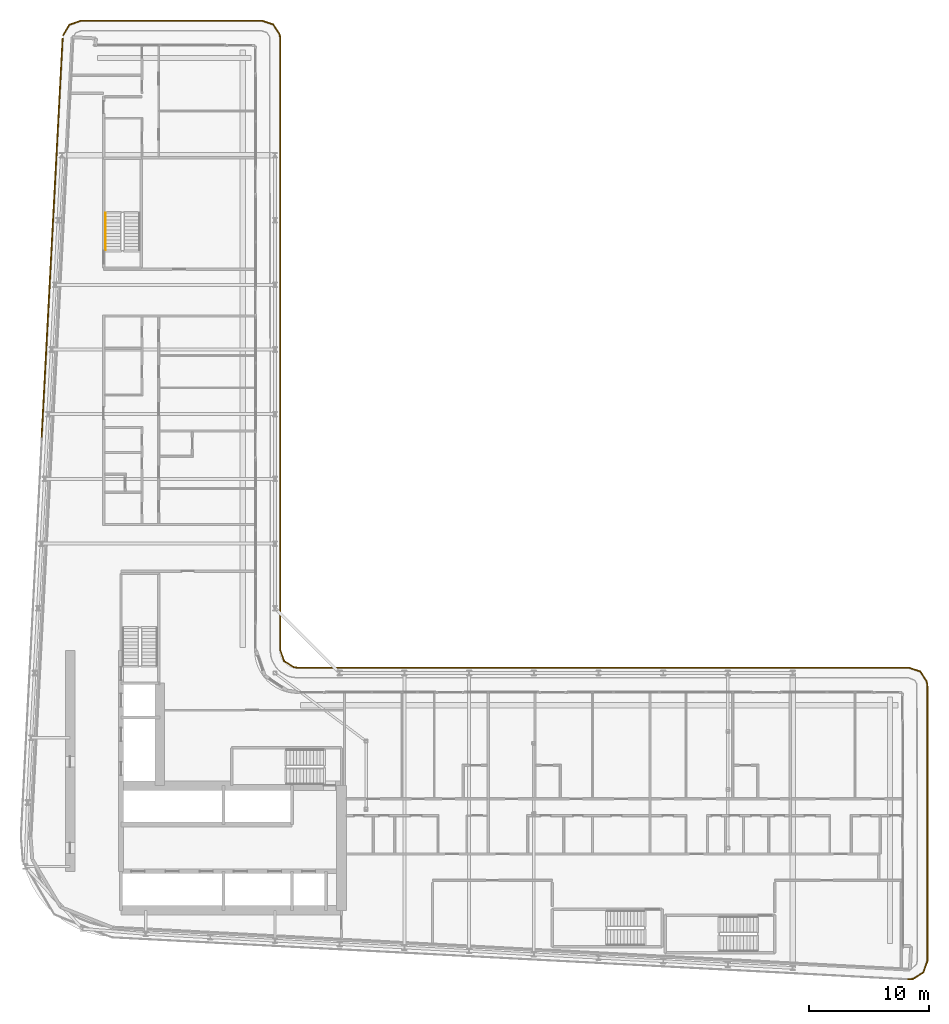
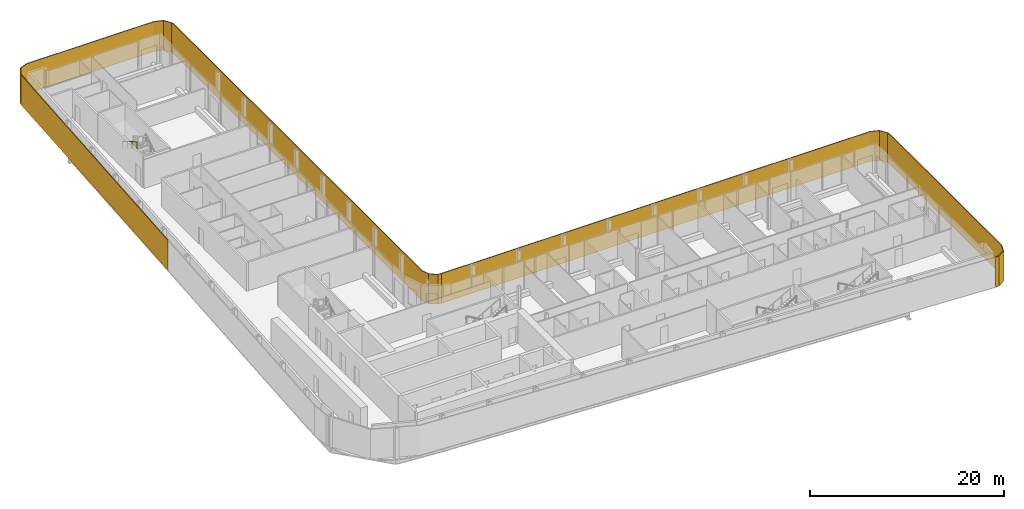
# One storey, part 26 of 28: 3 shading devices, 1 railing.
"""IFC4 building model written with IfcOpenShell, lengths in metres."""

from ifc_helpers import new_model, si_unit, direction, frame, origin, origin_2d, place, context, subcontext, project, spatial, polyline, rectangle, circle, outline, extrude, material, layer, layer_set, type_object, element, save


model = new_model("IFC4")

# Units and contexts
model_context = context("Model", 3, precision=1e-05, world=origin(), true_north=direction((0.0, 1.0)))
body_context = subcontext(model_context, "Body", "Model", "MODEL_VIEW")
ifc_project = project(units=[si_unit("LENGTHUNIT", "METRE"), si_unit("AREAUNIT", "SQUARE_METRE"), si_unit("VOLUMEUNIT", "CUBIC_METRE"), si_unit("PLANEANGLEUNIT", "RADIAN"), si_unit("MASSUNIT", "GRAM", prefix="KILO")], contexts=[model_context])

# Site, building, storey
site_placement = place(None, origin())
site = spatial("IfcSite", under=ifc_project, at=site_placement, CompositionType="ELEMENT")
building_placement = place(site_placement, origin())
building = spatial("IfcBuilding", under=site, at=building_placement, Name="Kheshtan School and Residences Tower", CompositionType="ELEMENT")
storey_placement = place(building_placement, frame((0.0, 0.0, 187.699951171875)))
storey = spatial("IfcBuildingStorey", under=building, at=storey_placement, Name="L44", CompositionType="ELEMENT", Elevation=187.699951171875)

# Shading devices
ifc_material_1 = material(Name="Terracotta baguette, extruded ceramic", Category="masonry")
ifc_layer_1 = layer(ifc_material_1, 0.10009765625)
ifc_layer_set_1 = layer_set([ifc_layer_1], Name="Ledge screen, terracotta baguettes")
shading_device_type_1 = type_object("IfcShadingDeviceType", Name="Ledge screen, terracotta baguettes", PredefinedType="USERDEFINED", material=ifc_layer_set_1)
shading_device_1_placement = place(storey_placement, frame((28.9990234375, 81.93408203125, 0.0), z_axis=(0.0, 0.0, 1.0), x_axis=(0.052562536748, 0.998617634398, 0.0)))
element("IfcShadingDevice", 1, at=shading_device_1_placement, inside=storey, type_object=shading_device_type_1, Name="Screen L44 5", ObjectType="BAGUETTE", PredefinedType="USERDEFINED", context=body_context, shape_type="SweptSolid", body=[
    extrude(rectangle(XDim=33.341064453125, YDim=0.10009765625, at=origin_2d()), origin(), (0.0, 0.0, 1.0), 3.75),
])
ifc_material_2 = material(Name="Terracotta lattice, extruded ceramic", Category="masonry")
ifc_layer_2 = layer(ifc_material_2, 0.10009765625)
ifc_layer_set_2 = layer_set([ifc_layer_2], Name="Loggia screen, terracotta lattice")
shading_device_type_2 = type_object("IfcShadingDeviceType", Name="Loggia screen, terracotta lattice", PredefinedType="USERDEFINED", material=ifc_layer_set_2)
shading_device_2_placement = place(storey_placement, origin())
element("IfcShadingDevice", 2, at=shading_device_2_placement, inside=storey, type_object=shading_device_type_2, Name="Screen L44 1", ObjectType="SCREEN", PredefinedType="USERDEFINED", context=body_context, shape_type="SweptSolid", body=[
    extrude(outline(polyline([(29.949951171875, 98.783935546875), (30.468017578125, 99.656982421875), (31.423095703125, 100.0), (46.5, 100.0), (47.4130859375, 99.68994140625), (47.948974609375, 98.887939453125), (48.0, 98.5), (48.0, 47.5), (48.31005859375, 46.5869140625), (49.112060546875, 46.051025390625), (49.5, 46.0), (49.512939453125, 46.09912109375), (49.14794921875, 46.14697265625), (48.39404296875, 46.65087890625), (48.10009765625, 47.51708984375), (48.10009765625, 98.507080078125), (48.044921875, 98.924072265625), (47.47705078125, 99.77392578125), (46.51708984375, 100.10009765625), (31.406005859375, 100.10009765625), (30.39990234375, 99.739013671875), (29.864013671875, 98.8349609375), (29.949951171875, 98.783935546875)])), origin(), (0.0, 0.0, 1.0), 3.75),
])
shading_device_3_placement = place(storey_placement, origin())
element("IfcShadingDevice", 3, at=shading_device_3_placement, inside=storey, type_object=shading_device_type_2, Name="Screen L44 2", ObjectType="SCREEN", PredefinedType="USERDEFINED", context=body_context, shape_type="SweptSolid", body=[
    extrude(outline(polyline([(49.5, 46.0), (100.5, 46.0), (101.4130859375, 45.68994140625), (101.948974609375, 44.887939453125), (102.0, 44.5), (102.0, 21.5810546875), (101.669921875, 20.64208984375), (100.823974609375, 20.116943359375), (100.4208984375, 20.0830078125), (100.428955078125, 19.98291015625), (100.85595703125, 20.01904296875), (101.7529296875, 20.575927734375), (102.10009765625, 21.56396484375), (102.10009765625, 44.507080078125), (102.044921875, 44.924072265625), (101.47705078125, 45.77392578125), (100.51708984375, 46.10009765625), (49.5, 46.10009765625), (49.5, 46.0)])), origin(), (0.0, 0.0, 1.0), 3.75),
])

# Railing
ifc_material_3 = material(Name="Stainless steel handrail", Category="steel")
railing_type = type_object("IfcRailingType", Name="Stair handrail 900", PredefinedType="HANDRAIL", material=ifc_material_3)
railing_placement = place(storey_placement, frame((33.449951171875, 83.97998046875, 2.112548828125)))
element("IfcRailing", 4, at=railing_placement, inside=storey, type_object=railing_type, Name="L44 ST3 stair handrail 2", PredefinedType="HANDRAIL", context=body_context, shape_type="SweptSolid", body=[
    extrude(circle(Radius=0.02392578125, at=origin_2d()), frame((0.0, 0.0, 0.8759765625), z_axis=(0.0, -0.864890721111, 0.501960198159), x_axis=(1.0, 0.0, 0.0)), (0.0, 0.0, 1.0), 3.561279296875),
    extrude(circle(Radius=0.02099609375, at=origin_2d()), origin(), (0.0, 0.0, 1.0), 0.851806640625),
    extrude(circle(Radius=0.02099609375, at=origin_2d()), frame((0.0, -1.026611328125, 0.595947265625)), (0.0, 0.0, 1.0), 0.851806640625),
    extrude(circle(Radius=0.02099609375, at=origin_2d()), frame((0.0, -2.053466796875, 1.191650390625)), (0.0, 0.0, 1.0), 0.851806640625),
    extrude(circle(Radius=0.02099609375, at=origin_2d()), frame((0.0, -3.080078125, 1.78759765625)), (0.0, 0.0, 1.0), 0.851806640625),
])

save(model, "model.ifc")
